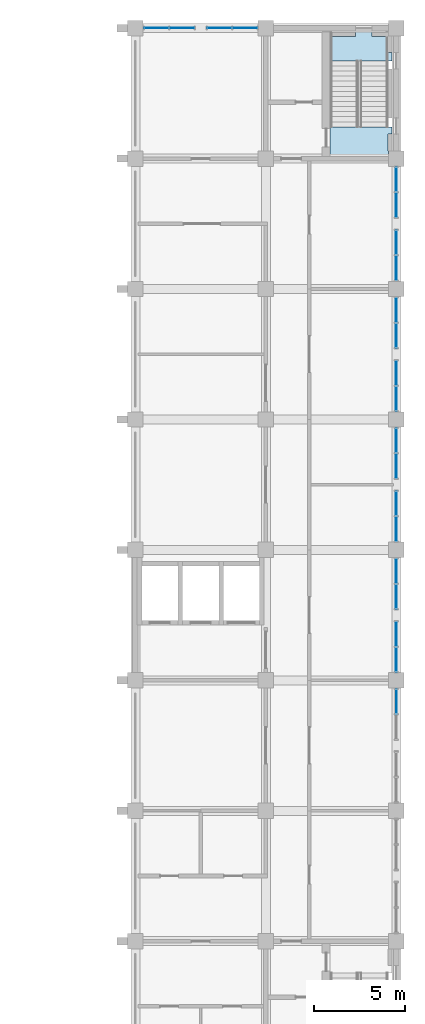
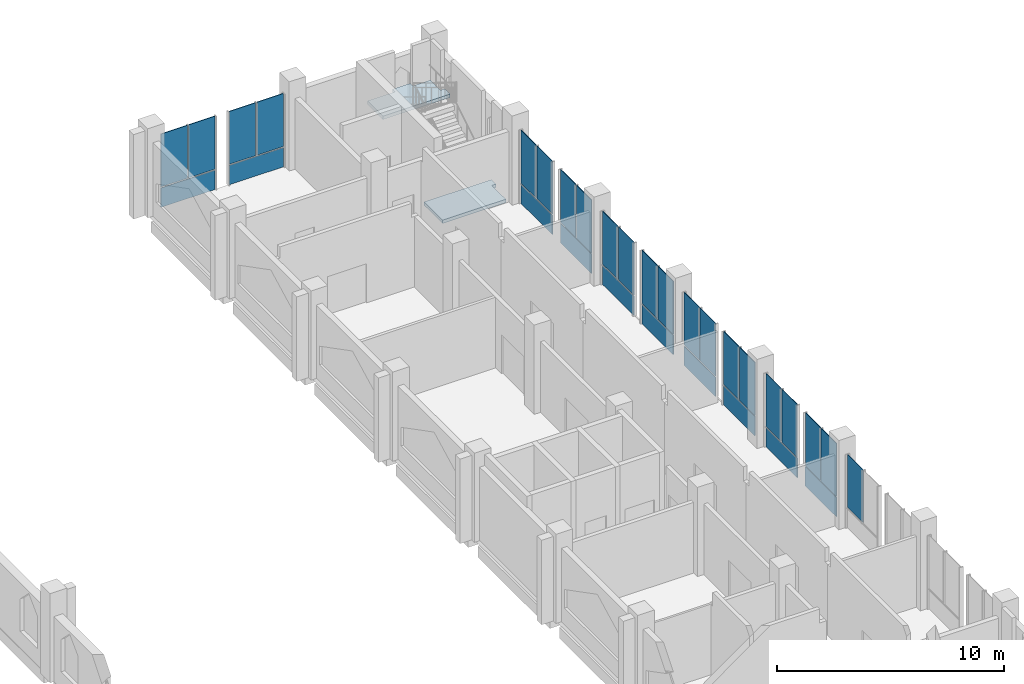
# One storey, part 26 of 40: 31 plates, 2 slabs, 12 elements without a shape of their own.
"""IFC4 building model written with IfcOpenShell, lengths in metres."""

from ifc_helpers import new_model, si_unit, direction, frame, origin, origin_2d, place, context, subcontext, project, spatial, polyline, rectangle, outline, extrude, material, layer, layer_set, type_object, element, aggregate, save


model = new_model("IFC4")

# Units and contexts
model_context = context("Model", 3, precision=1e-05, world=origin(), true_north=direction((0.0, 1.0)))
body_context = subcontext(model_context, "Body", "Model", "MODEL_VIEW")
ifc_project = project(units=[si_unit("LENGTHUNIT", "METRE"), si_unit("AREAUNIT", "SQUARE_METRE"), si_unit("VOLUMEUNIT", "CUBIC_METRE"), si_unit("PLANEANGLEUNIT", "RADIAN"), si_unit("MASSUNIT", "GRAM", prefix="KILO")], contexts=[model_context])

# Site, building, storey
site_placement = place(None, origin())
site = spatial("IfcSite", under=ifc_project, at=site_placement, CompositionType="ELEMENT")
building_placement = place(site_placement, origin())
building = spatial("IfcBuilding", under=site, at=building_placement, Name="Silangan Lancet Faculty of Sciences", CompositionType="ELEMENT")
storey_placement = place(building_placement, frame((0.0, 0.0, 16.800048828125)))
storey = spatial("IfcBuildingStorey", under=building, at=storey_placement, Name="L03", CompositionType="ELEMENT", Elevation=16.800048828125)

# Curtain wall, plate
ifc_material_1 = material(Name="Aluminium framed curtain wall with insulated glass", Category="aluminium")
curtain_wall_type = type_object("IfcCurtainWallType", Name="CW1 Commons and east block glazing", PredefinedType="NOTDEFINED", material=ifc_material_1)
curtain_wall_1_placement = place(storey_placement, origin())
curtain_wall_1 = element("IfcCurtainWall", 1, at=curtain_wall_1_placement, inside=storey, type_object=curtain_wall_type, Name="CW1 East commons L03 bay 4", PredefinedType="NOTDEFINED")
ifc_material_2 = material(Name="Insulated glass unit 8+16+8 low-emissivity", Category="glass")
ifc_layer_1 = layer(ifc_material_2, 0.031982421875)
ifc_layer_set_1 = layer_set([ifc_layer_1], Name="Insulated glass unit 8+16+8 low-emissivity")
plate_type_1 = type_object("IfcPlateType", Name="CP1 Panel vision glass 32", PredefinedType="CURTAIN_PANEL", material=ifc_layer_set_1)
plate_1_placement = place(storey_placement, frame((86.39990234375, 20.441162109375, 1.099853515625), z_axis=(0.0, 0.0, 1.0), x_axis=(0.0, 1.0, 0.0)))
plate_1 = element("IfcPlate", 2, at=plate_1_placement, type_object=plate_type_1, Name="CW1 East commons L03 bay 4 panel 3", PredefinedType="CURTAIN_PANEL", context=body_context, shape_type="SweptSolid", body=[
    extrude(rectangle(XDim=1.347412109375, YDim=0.031982421875, at=origin_2d()), origin(), (0.0, 0.0, 1.0), 2.85009765625),
])
aggregate(curtain_wall_1, [plate_1])

# Curtain wall, plates
curtain_wall_2_placement = place(storey_placement, origin())
curtain_wall_2 = element("IfcCurtainWall", 3, at=curtain_wall_2_placement, inside=storey, type_object=curtain_wall_type, Name="CW1 East commons L03 bay 5", PredefinedType="NOTDEFINED")
plate_2_placement = place(storey_placement, frame((86.39990234375, 22.7587890625, 1.099853515625), z_axis=(0.0, 0.0, 1.0), x_axis=(0.0, 1.0, 0.0)))
plate_2 = element("IfcPlate", 4, at=plate_2_placement, type_object=plate_type_1, Name="CW1 East commons L03 bay 5 panel 2", PredefinedType="CURTAIN_PANEL", context=body_context, shape_type="SweptSolid", body=[
    extrude(rectangle(XDim=1.347412109375, YDim=0.031982421875, at=origin_2d()), origin(), (0.0, 0.0, 1.0), 2.85009765625),
])
plate_3_placement = place(storey_placement, frame((86.39990234375, 24.166259765625, 1.099853515625), z_axis=(0.0, 0.0, 1.0), x_axis=(0.0, 1.0, 0.0)))
plate_3 = element("IfcPlate", 5, at=plate_3_placement, type_object=plate_type_1, Name="CW1 East commons L03 bay 5 panel 3", PredefinedType="CURTAIN_PANEL", context=body_context, shape_type="SweptSolid", body=[
    extrude(rectangle(XDim=1.347412109375, YDim=0.031982421875, at=origin_2d()), origin(), (0.0, 0.0, 1.0), 2.85009765625),
])

curtain_wall_3_placement = place(storey_placement, origin())
curtain_wall_3 = element("IfcCurtainWall", 6, at=curtain_wall_3_placement, inside=storey, type_object=curtain_wall_type, Name="CW1 East commons L03 bay 6", PredefinedType="NOTDEFINED")
plate_4_placement = place(storey_placement, frame((86.39990234375, 26.233642578125, 1.099853515625), z_axis=(0.0, 0.0, 1.0), x_axis=(0.0, 1.0, 0.0)))
plate_4 = element("IfcPlate", 7, at=plate_4_placement, type_object=plate_type_1, Name="CW1 East commons L03 bay 6 panel 2", PredefinedType="CURTAIN_PANEL", context=body_context, shape_type="SweptSolid", body=[
    extrude(rectangle(XDim=1.347412109375, YDim=0.031982421875, at=origin_2d()), origin(), (0.0, 0.0, 1.0), 2.85009765625),
])
plate_5_placement = place(storey_placement, frame((86.39990234375, 27.641357421875, 1.099853515625), z_axis=(0.0, 0.0, 1.0), x_axis=(0.0, 1.0, 0.0)))
plate_5 = element("IfcPlate", 8, at=plate_5_placement, type_object=plate_type_1, Name="CW1 East commons L03 bay 6 panel 3", PredefinedType="CURTAIN_PANEL", context=body_context, shape_type="SweptSolid", body=[
    extrude(rectangle(XDim=1.347412109375, YDim=0.031982421875, at=origin_2d()), origin(), (0.0, 0.0, 1.0), 2.85009765625),
])

curtain_wall_4_placement = place(storey_placement, origin())
curtain_wall_4 = element("IfcCurtainWall", 9, at=curtain_wall_4_placement, inside=storey, type_object=curtain_wall_type, Name="CW1 East commons L03 bay 7", PredefinedType="NOTDEFINED")
plate_6_placement = place(storey_placement, frame((86.39990234375, 29.958740234375, 1.099853515625), z_axis=(0.0, 0.0, 1.0), x_axis=(0.0, 1.0, 0.0)))
plate_6 = element("IfcPlate", 10, at=plate_6_placement, type_object=plate_type_1, Name="CW1 East commons L03 bay 7 panel 2", PredefinedType="CURTAIN_PANEL", context=body_context, shape_type="SweptSolid", body=[
    extrude(rectangle(XDim=1.347412109375, YDim=0.031982421875, at=origin_2d()), origin(), (0.0, 0.0, 1.0), 2.85009765625),
])
plate_7_placement = place(storey_placement, frame((86.39990234375, 31.3662109375, 1.099853515625), z_axis=(0.0, 0.0, 1.0), x_axis=(0.0, 1.0, 0.0)))
plate_7 = element("IfcPlate", 11, at=plate_7_placement, type_object=plate_type_1, Name="CW1 East commons L03 bay 7 panel 3", PredefinedType="CURTAIN_PANEL", context=body_context, shape_type="SweptSolid", body=[
    extrude(rectangle(XDim=1.347412109375, YDim=0.031982421875, at=origin_2d()), origin(), (0.0, 0.0, 1.0), 2.85009765625),
])

curtain_wall_5_placement = place(storey_placement, origin())
curtain_wall_5 = element("IfcCurtainWall", 12, at=curtain_wall_5_placement, inside=storey, type_object=curtain_wall_type, Name="CW1 East commons L03 bay 8", PredefinedType="NOTDEFINED")
plate_8_placement = place(storey_placement, frame((86.39990234375, 33.43359375, 1.099853515625), z_axis=(0.0, 0.0, 1.0), x_axis=(0.0, 1.0, 0.0)))
plate_8 = element("IfcPlate", 13, at=plate_8_placement, type_object=plate_type_1, Name="CW1 East commons L03 bay 8 panel 2", PredefinedType="CURTAIN_PANEL", context=body_context, shape_type="SweptSolid", body=[
    extrude(rectangle(XDim=1.34765625, YDim=0.031982421875, at=origin_2d()), origin(), (0.0, 0.0, 1.0), 2.85009765625),
])
plate_9_placement = place(storey_placement, frame((86.39990234375, 34.84130859375, 1.099853515625), z_axis=(0.0, 0.0, 1.0), x_axis=(0.0, 1.0, 0.0)))
plate_9 = element("IfcPlate", 14, at=plate_9_placement, type_object=plate_type_1, Name="CW1 East commons L03 bay 8 panel 3", PredefinedType="CURTAIN_PANEL", context=body_context, shape_type="SweptSolid", body=[
    extrude(rectangle(XDim=1.34765625, YDim=0.031982421875, at=origin_2d()), origin(), (0.0, 0.0, 1.0), 2.85009765625),
])

curtain_wall_6_placement = place(storey_placement, origin())
curtain_wall_6 = element("IfcCurtainWall", 15, at=curtain_wall_6_placement, inside=storey, type_object=curtain_wall_type, Name="CW1 East commons L03 bay 9", PredefinedType="NOTDEFINED")
plate_10_placement = place(storey_placement, frame((86.39990234375, 37.15869140625, 1.099853515625), z_axis=(0.0, 0.0, 1.0), x_axis=(0.0, 1.0, 0.0)))
plate_10 = element("IfcPlate", 16, at=plate_10_placement, type_object=plate_type_1, Name="CW1 East commons L03 bay 9 panel 2", PredefinedType="CURTAIN_PANEL", context=body_context, shape_type="SweptSolid", body=[
    extrude(rectangle(XDim=1.34765625, YDim=0.031982421875, at=origin_2d()), origin(), (0.0, 0.0, 1.0), 2.85009765625),
])
plate_11_placement = place(storey_placement, frame((86.39990234375, 38.56640625, 1.099853515625), z_axis=(0.0, 0.0, 1.0), x_axis=(0.0, 1.0, 0.0)))
plate_11 = element("IfcPlate", 17, at=plate_11_placement, type_object=plate_type_1, Name="CW1 East commons L03 bay 9 panel 3", PredefinedType="CURTAIN_PANEL", context=body_context, shape_type="SweptSolid", body=[
    extrude(rectangle(XDim=1.34765625, YDim=0.031982421875, at=origin_2d()), origin(), (0.0, 0.0, 1.0), 2.85009765625),
])

curtain_wall_7_placement = place(storey_placement, origin())
curtain_wall_7 = element("IfcCurtainWall", 18, at=curtain_wall_7_placement, inside=storey, type_object=curtain_wall_type, Name="CW1 East commons L03 bay 10", PredefinedType="NOTDEFINED")
plate_12_placement = place(storey_placement, frame((86.39990234375, 40.6337890625, 1.099853515625), z_axis=(0.0, 0.0, 1.0), x_axis=(0.0, 1.0, 0.0)))
plate_12 = element("IfcPlate", 19, at=plate_12_placement, type_object=plate_type_1, Name="CW1 East commons L03 bay 10 panel 2", PredefinedType="CURTAIN_PANEL", context=body_context, shape_type="SweptSolid", body=[
    extrude(rectangle(XDim=1.347412109375, YDim=0.031982421875, at=origin_2d()), origin(), (0.0, 0.0, 1.0), 2.85009765625),
])
plate_13_placement = place(storey_placement, frame((86.39990234375, 42.041259765625, 1.099853515625), z_axis=(0.0, 0.0, 1.0), x_axis=(0.0, 1.0, 0.0)))
plate_13 = element("IfcPlate", 20, at=plate_13_placement, type_object=plate_type_1, Name="CW1 East commons L03 bay 10 panel 3", PredefinedType="CURTAIN_PANEL", context=body_context, shape_type="SweptSolid", body=[
    extrude(rectangle(XDim=1.347412109375, YDim=0.031982421875, at=origin_2d()), origin(), (0.0, 0.0, 1.0), 2.85009765625),
])

curtain_wall_8_placement = place(storey_placement, origin())
curtain_wall_8 = element("IfcCurtainWall", 21, at=curtain_wall_8_placement, inside=storey, type_object=curtain_wall_type, Name="CW1 East commons L03 bay 11", PredefinedType="NOTDEFINED")
plate_14_placement = place(storey_placement, frame((86.39990234375, 44.358642578125, 1.099853515625), z_axis=(0.0, 0.0, 1.0), x_axis=(0.0, 1.0, 0.0)))
plate_14 = element("IfcPlate", 22, at=plate_14_placement, type_object=plate_type_1, Name="CW1 East commons L03 bay 11 panel 2", PredefinedType="CURTAIN_PANEL", context=body_context, shape_type="SweptSolid", body=[
    extrude(rectangle(XDim=1.347412109375, YDim=0.031982421875, at=origin_2d()), origin(), (0.0, 0.0, 1.0), 2.85009765625),
])
plate_15_placement = place(storey_placement, frame((86.39990234375, 45.766357421875, 1.099853515625), z_axis=(0.0, 0.0, 1.0), x_axis=(0.0, 1.0, 0.0)))
plate_15 = element("IfcPlate", 23, at=plate_15_placement, type_object=plate_type_1, Name="CW1 East commons L03 bay 11 panel 3", PredefinedType="CURTAIN_PANEL", context=body_context, shape_type="SweptSolid", body=[
    extrude(rectangle(XDim=1.347412109375, YDim=0.031982421875, at=origin_2d()), origin(), (0.0, 0.0, 1.0), 2.85009765625),
])

curtain_wall_9_placement = place(storey_placement, origin())
curtain_wall_9 = element("IfcCurtainWall", 24, at=curtain_wall_9_placement, inside=storey, type_object=curtain_wall_type, Name="CW1 East commons L03 bay 12", PredefinedType="NOTDEFINED")
plate_16_placement = place(storey_placement, frame((86.39990234375, 47.833740234375, 1.099853515625), z_axis=(0.0, 0.0, 1.0), x_axis=(0.0, 1.0, 0.0)))
plate_16 = element("IfcPlate", 25, at=plate_16_placement, type_object=plate_type_1, Name="CW1 East commons L03 bay 12 panel 2", PredefinedType="CURTAIN_PANEL", context=body_context, shape_type="SweptSolid", body=[
    extrude(rectangle(XDim=1.347412109375, YDim=0.031982421875, at=origin_2d()), origin(), (0.0, 0.0, 1.0), 2.85009765625),
])
plate_17_placement = place(storey_placement, frame((86.39990234375, 49.2412109375, 1.099853515625), z_axis=(0.0, 0.0, 1.0), x_axis=(0.0, 1.0, 0.0)))
plate_17 = element("IfcPlate", 26, at=plate_17_placement, type_object=plate_type_1, Name="CW1 East commons L03 bay 12 panel 3", PredefinedType="CURTAIN_PANEL", context=body_context, shape_type="SweptSolid", body=[
    extrude(rectangle(XDim=1.347412109375, YDim=0.031982421875, at=origin_2d()), origin(), (0.0, 0.0, 1.0), 2.85009765625),
])

curtain_wall_10_placement = place(storey_placement, origin())
curtain_wall_10 = element("IfcCurtainWall", 27, at=curtain_wall_10_placement, inside=storey, type_object=curtain_wall_type, Name="CW1 East block north L03 bay 1", PredefinedType="NOTDEFINED")
plate_18_placement = place(storey_placement, frame((78.041259765625, 57.60009765625, 1.099853515625), z_axis=(0.0, 0.0, 1.0), x_axis=(-1.0, 0.0, 0.0)))
plate_18 = element("IfcPlate", 28, at=plate_18_placement, type_object=plate_type_1, Name="CW1 East block north L03 bay 1 panel 2", PredefinedType="CURTAIN_PANEL", context=body_context, shape_type="SweptSolid", body=[
    extrude(rectangle(XDim=1.347412109375, YDim=0.031982421875, at=origin_2d()), origin(), (0.0, 0.0, 1.0), 2.85009765625),
])
plate_19_placement = place(storey_placement, frame((76.6337890625, 57.60009765625, 1.099853515625), z_axis=(0.0, 0.0, 1.0), x_axis=(-1.0, 0.0, 0.0)))
plate_19 = element("IfcPlate", 29, at=plate_19_placement, type_object=plate_type_1, Name="CW1 East block north L03 bay 1 panel 3", PredefinedType="CURTAIN_PANEL", context=body_context, shape_type="SweptSolid", body=[
    extrude(rectangle(XDim=1.347412109375, YDim=0.031982421875, at=origin_2d()), origin(), (0.0, 0.0, 1.0), 2.85009765625),
])

curtain_wall_11_placement = place(storey_placement, origin())
curtain_wall_11 = element("IfcCurtainWall", 30, at=curtain_wall_11_placement, inside=storey, type_object=curtain_wall_type, Name="CW1 East block north L03 bay 2", PredefinedType="NOTDEFINED")
plate_20_placement = place(storey_placement, frame((74.56640625, 57.60009765625, 1.099853515625), z_axis=(0.0, 0.0, 1.0), x_axis=(-1.0, 0.0, 0.0)))
plate_20 = element("IfcPlate", 31, at=plate_20_placement, type_object=plate_type_1, Name="CW1 East block north L03 bay 2 panel 2", PredefinedType="CURTAIN_PANEL", context=body_context, shape_type="SweptSolid", body=[
    extrude(rectangle(XDim=1.34765625, YDim=0.031982421875, at=origin_2d()), origin(), (0.0, 0.0, 1.0), 2.85009765625),
])
plate_21_placement = place(storey_placement, frame((73.15869140625, 57.60009765625, 1.099853515625), z_axis=(0.0, 0.0, 1.0), x_axis=(-1.0, 0.0, 0.0)))
plate_21 = element("IfcPlate", 32, at=plate_21_placement, type_object=plate_type_1, Name="CW1 East block north L03 bay 2 panel 3", PredefinedType="CURTAIN_PANEL", context=body_context, shape_type="SweptSolid", body=[
    extrude(rectangle(XDim=1.34765625, YDim=0.031982421875, at=origin_2d()), origin(), (0.0, 0.0, 1.0), 2.85009765625),
])

# Plate
ifc_material_3 = material(Name="Laminated insulated glass unit 10.76+14+8", Category="glass")
ifc_layer_2 = layer(ifc_material_3, 0.035888671875)
ifc_layer_set_2 = layer_set([ifc_layer_2], Name="Laminated insulated glass unit 10.76+14+8")
plate_type_2 = type_object("IfcPlateType", Name="CP2 Panel laminated glass 36", PredefinedType="CURTAIN_PANEL", material=ifc_layer_set_2)
plate_22_placement = place(storey_placement, frame((86.39990234375, 23.46240234375, 0.0), z_axis=(0.0, 0.0, 1.0), x_axis=(0.0, 1.0, 0.0)))
plate_22 = element("IfcPlate", 33, at=plate_22_placement, type_object=plate_type_2, Name="CW1 East commons L03 bay 5 panel 1", PredefinedType="CURTAIN_PANEL", context=body_context, shape_type="SweptSolid", body=[
    extrude(rectangle(XDim=2.7548828125, YDim=0.035888671875, at=origin_2d()), origin(), (0.0, 0.0, 1.0), 1.0400390625),
])

aggregate(curtain_wall_2, [plate_22, plate_2, plate_3])

plate_23_placement = place(storey_placement, frame((86.39990234375, 26.9375, 0.0), z_axis=(0.0, 0.0, 1.0), x_axis=(0.0, 1.0, 0.0)))
plate_23 = element("IfcPlate", 34, at=plate_23_placement, type_object=plate_type_2, Name="CW1 East commons L03 bay 6 panel 1", PredefinedType="CURTAIN_PANEL", context=body_context, shape_type="SweptSolid", body=[
    extrude(rectangle(XDim=2.7548828125, YDim=0.035888671875, at=origin_2d()), origin(), (0.0, 0.0, 1.0), 1.0400390625),
])

aggregate(curtain_wall_3, [plate_23, plate_4, plate_5])

plate_24_placement = place(storey_placement, frame((86.39990234375, 30.662353515625, 0.0), z_axis=(0.0, 0.0, 1.0), x_axis=(0.0, 1.0, 0.0)))
plate_24 = element("IfcPlate", 35, at=plate_24_placement, type_object=plate_type_2, Name="CW1 East commons L03 bay 7 panel 1", PredefinedType="CURTAIN_PANEL", context=body_context, shape_type="SweptSolid", body=[
    extrude(rectangle(XDim=2.7548828125, YDim=0.035888671875, at=origin_2d()), origin(), (0.0, 0.0, 1.0), 1.0400390625),
])

aggregate(curtain_wall_4, [plate_24, plate_6, plate_7])

plate_25_placement = place(storey_placement, frame((86.39990234375, 34.137451171875, 0.0), z_axis=(0.0, 0.0, 1.0), x_axis=(0.0, 1.0, 0.0)))
plate_25 = element("IfcPlate", 36, at=plate_25_placement, type_object=plate_type_2, Name="CW1 East commons L03 bay 8 panel 1", PredefinedType="CURTAIN_PANEL", context=body_context, shape_type="SweptSolid", body=[
    extrude(rectangle(XDim=2.755126953125, YDim=0.035888671875, at=origin_2d()), origin(), (0.0, 0.0, 1.0), 1.0400390625),
])

aggregate(curtain_wall_5, [plate_25, plate_8, plate_9])

plate_26_placement = place(storey_placement, frame((86.39990234375, 37.862548828125, 0.0), z_axis=(0.0, 0.0, 1.0), x_axis=(0.0, 1.0, 0.0)))
plate_26 = element("IfcPlate", 37, at=plate_26_placement, type_object=plate_type_2, Name="CW1 East commons L03 bay 9 panel 1", PredefinedType="CURTAIN_PANEL", context=body_context, shape_type="SweptSolid", body=[
    extrude(rectangle(XDim=2.755126953125, YDim=0.035888671875, at=origin_2d()), origin(), (0.0, 0.0, 1.0), 1.0400390625),
])

aggregate(curtain_wall_6, [plate_26, plate_10, plate_11])

plate_27_placement = place(storey_placement, frame((86.39990234375, 41.337646484375, 0.0), z_axis=(0.0, 0.0, 1.0), x_axis=(0.0, 1.0, 0.0)))
plate_27 = element("IfcPlate", 38, at=plate_27_placement, type_object=plate_type_2, Name="CW1 East commons L03 bay 10 panel 1", PredefinedType="CURTAIN_PANEL", context=body_context, shape_type="SweptSolid", body=[
    extrude(rectangle(XDim=2.7548828125, YDim=0.035888671875, at=origin_2d()), origin(), (0.0, 0.0, 1.0), 1.0400390625),
])

aggregate(curtain_wall_7, [plate_27, plate_12, plate_13])

plate_28_placement = place(storey_placement, frame((86.39990234375, 45.0625, 0.0), z_axis=(0.0, 0.0, 1.0), x_axis=(0.0, 1.0, 0.0)))
plate_28 = element("IfcPlate", 39, at=plate_28_placement, type_object=plate_type_2, Name="CW1 East commons L03 bay 11 panel 1", PredefinedType="CURTAIN_PANEL", context=body_context, shape_type="SweptSolid", body=[
    extrude(rectangle(XDim=2.7548828125, YDim=0.035888671875, at=origin_2d()), origin(), (0.0, 0.0, 1.0), 1.0400390625),
])

aggregate(curtain_wall_8, [plate_28, plate_14, plate_15])

plate_29_placement = place(storey_placement, frame((86.39990234375, 48.53759765625, 0.0), z_axis=(0.0, 0.0, 1.0), x_axis=(0.0, 1.0, 0.0)))
plate_29 = element("IfcPlate", 40, at=plate_29_placement, type_object=plate_type_2, Name="CW1 East commons L03 bay 12 panel 1", PredefinedType="CURTAIN_PANEL", context=body_context, shape_type="SweptSolid", body=[
    extrude(rectangle(XDim=2.7548828125, YDim=0.035888671875, at=origin_2d()), origin(), (0.0, 0.0, 1.0), 1.0400390625),
])

aggregate(curtain_wall_9, [plate_29, plate_16, plate_17])

plate_30_placement = place(storey_placement, frame((77.337646484375, 57.60009765625, 0.0), z_axis=(0.0, 0.0, 1.0), x_axis=(-1.0, 0.0, 0.0)))
plate_30 = element("IfcPlate", 41, at=plate_30_placement, type_object=plate_type_2, Name="CW1 East block north L03 bay 1 panel 1", PredefinedType="CURTAIN_PANEL", context=body_context, shape_type="SweptSolid", body=[
    extrude(rectangle(XDim=2.7548828125, YDim=0.035888671875, at=origin_2d()), origin(), (0.0, 0.0, 1.0), 1.0400390625),
])

aggregate(curtain_wall_10, [plate_30, plate_18, plate_19])

plate_31_placement = place(storey_placement, frame((73.862548828125, 57.60009765625, 0.0), z_axis=(0.0, 0.0, 1.0), x_axis=(-1.0, 0.0, 0.0)))
plate_31 = element("IfcPlate", 42, at=plate_31_placement, type_object=plate_type_2, Name="CW1 East block north L03 bay 2 panel 1", PredefinedType="CURTAIN_PANEL", context=body_context, shape_type="SweptSolid", body=[
    extrude(rectangle(XDim=2.755126953125, YDim=0.035888671875, at=origin_2d()), origin(), (0.0, 0.0, 1.0), 1.0400390625),
])

aggregate(curtain_wall_11, [plate_31, plate_20, plate_21])

# Stair, slabs
ifc_material_4 = material(Name="Concrete C40/50", Category="concrete")
stair_type = type_object("IfcStairType", Name="TURRET STAIR 1550 TWO-FLIGHT", PredefinedType="HALF_TURN_STAIR", material=ifc_material_4)
stair_placement = place(storey_placement, origin())
stair = element("IfcStair", 43, at=stair_placement, inside=storey, type_object=stair_type, Name="EB-B stair L03", PredefinedType="HALF_TURN_STAIR")
ifc_material_5 = material(Name="Concrete C40/50", Category="concrete")
ifc_layer_3 = layer(ifc_material_5, 0.179931640625)
ifc_layer_set_3 = layer_set([ifc_layer_3], Name="Concrete C40/50")
slab_type = type_object("IfcSlabType", Name="TURRET STAIR LANDING RC 180", PredefinedType="LANDING", material=ifc_layer_set_3)
slab_1_placement = place(storey_placement, frame((0.0, 0.0, -0.179931640625)))
slab_1 = element("IfcSlab", 44, at=slab_1_placement, type_object=slab_type, Name="STR10 landing 1", PredefinedType="LANDING", context=body_context, shape_type="SweptSolid", body=[
    extrude(outline(polyline([(85.949951171875, 50.824951171875), (85.97509765625, 50.824951171875), (85.97509765625, 50.52490234375), (82.75, 50.52490234375), (82.75, 52.14990234375), (86.175048828125, 52.14990234375), (86.175048828125, 51.75), (85.949951171875, 51.75), (85.949951171875, 50.824951171875)])), origin(), (0.0, 0.0, 1.0), 0.179931640625),
])
slab_2_placement = place(storey_placement, frame((0.0, 0.0, 2.219970703125)))
slab_2 = element("IfcSlab", 45, at=slab_2_placement, type_object=slab_type, Name="STR10 landing 2", PredefinedType="LANDING", context=body_context, shape_type="SweptSolid", body=[
    extrude(outline(polyline([(84.14990234375, 57.14990234375), (84.14990234375, 57.375), (85.050048828125, 57.375), (85.050048828125, 57.14990234375), (85.949951171875, 57.14990234375), (85.949951171875, 56.25), (86.175048828125, 56.25), (86.175048828125, 55.7900390625), (82.75, 55.7900390625), (82.75, 57.14990234375), (84.14990234375, 57.14990234375)])), origin(), (0.0, 0.0, 1.0), 0.179931640625),
])
aggregate(stair, [slab_1, slab_2])

save(model, "model.ifc")
